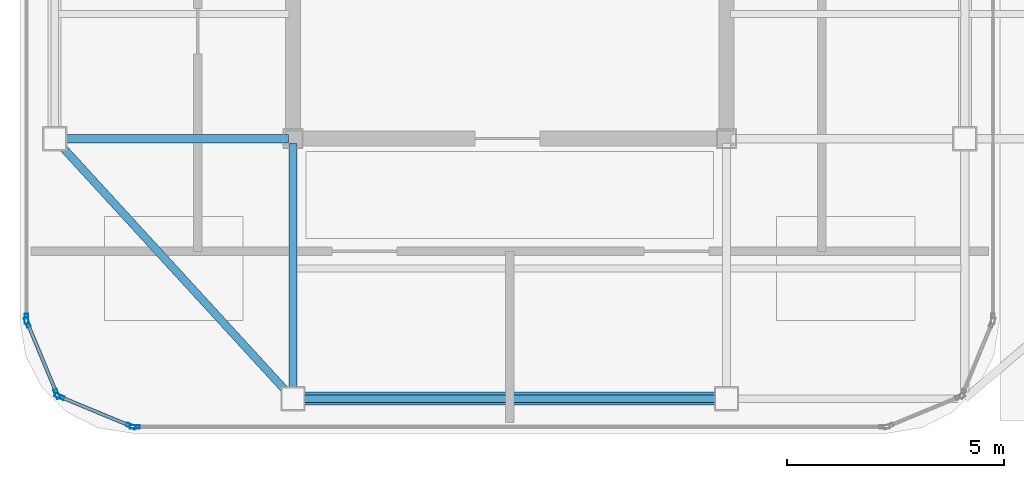
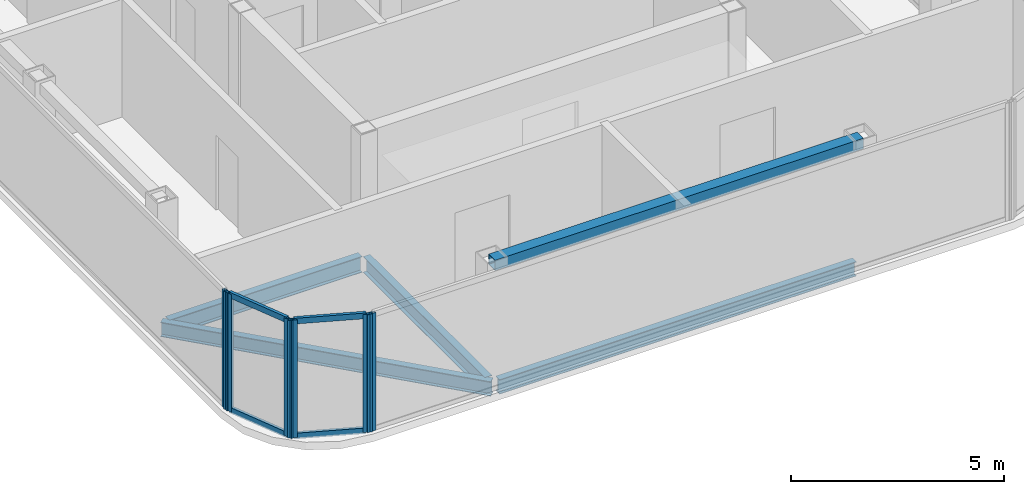
# One storey, part 2 of 11: 11 members, 4 beams, 4 elements without a shape of their own.
"""IFC4 building model written with IfcOpenShell, lengths in metres."""

import ifcopenshell
import ifcopenshell.guid

model = None  # the IFC model being written
_history = None  # IfcOwnerHistory: only IFC2X3 demands one
_inside = {}  # id of a spatial element -> (the spatial element, [elements in it])
_under = {}  # id of a project, library or spatial element -> (it, [spatial elements below it])
_declared = {}  # id of a project -> (the project, [libraries it declares])
_typed = {}  # id of a type object -> (the type object, [elements of that type])
_made_of = {}  # id of a material, layer set ... -> (it, [elements and type objects made of it])


def new_model(schema):
    """Start an empty IFC model of exactly this schema.

    Asked for "IFC4X3", IfcOpenShell would pick the latest addendum, in which some entities
    have other attributes; the version numbers below select the first issue.
    IFC2X3 requires an IfcOwnerHistory on every rooted entity: one is made here for all.
    """
    global model, _history
    if schema == "IFC4X3":
        model = ifcopenshell.file(schema_version=(4, 3, 0, 0))
    else:
        model = ifcopenshell.file(schema=schema)
    _inside.clear()
    _under.clear()
    _declared.clear()
    _typed.clear()
    _made_of.clear()
    _history = None
    if model.schema == "IFC2X3":
        org = make("IfcOrganization", Name="unknown")
        user = make(
            "IfcPersonAndOrganization",
            ThePerson=make("IfcPerson", FamilyName="unknown"),
            TheOrganization=org,
        )
        app = make(
            "IfcApplication",
            ApplicationDeveloper=org,
            Version="unknown",
            ApplicationFullName="unknown",
            ApplicationIdentifier="unknown",
        )
        _history = make(
            "IfcOwnerHistory",
            OwningUser=user,
            OwningApplication=app,
            ChangeAction="ADDED",
            CreationDate=0,
        )
    return model


def make(cls, **values):
    """One entity of the class cls with the attributes given. An attribute that is None is left unset."""
    return model.create_entity(
        cls, **{name: value for name, value in values.items() if value is not None}
    )


def rooted(cls, **values):
    """An entity with a GlobalId (a new one), such as an element, a storey or a relation."""
    return make(cls, GlobalId=ifcopenshell.guid.new(), OwnerHistory=_history, **values)


def si_unit(unit_type, name, prefix=None):
    """IfcSIUnit, for example si_unit("LENGTHUNIT", "METRE", prefix="MILLI")."""
    return make("IfcSIUnit", UnitType=unit_type, Prefix=prefix, Name=name)


def assignment(units):
    """IfcUnitAssignment: the units of a project."""
    return None if units is None else make("IfcUnitAssignment", Units=units)


def point(xyz):
    """IfcCartesianPoint."""
    return None if xyz is None else make("IfcCartesianPoint", Coordinates=xyz)


def direction(xyz):
    """IfcDirection."""
    return None if xyz is None else make("IfcDirection", DirectionRatios=xyz)


def frame(location, z_axis=None, x_axis=None):
    """IfcAxis2Placement3D, a coordinate frame: its origin and axes. An axis left out is left unset."""
    return make(
        "IfcAxis2Placement3D",
        Location=point(location),
        Axis=direction(z_axis),
        RefDirection=direction(x_axis),
    )


def frame_2d(location, x_axis=None):
    """IfcAxis2Placement2D, a coordinate frame in the plane: its origin and x axis."""
    return make(
        "IfcAxis2Placement2D", Location=point(location), RefDirection=direction(x_axis)
    )


def origin():
    """The frame at (0, 0, 0) with its axes left unset."""
    return frame((0.0, 0.0, 0.0))


def origin_2d():
    """The frame at (0, 0) in the plane with its x axis left unset."""
    return frame_2d((0.0, 0.0))


def place(relative_to, where):
    """IfcLocalPlacement: puts the frame where relative to a parent placement (None: the world)."""
    return make(
        "IfcLocalPlacement", PlacementRelTo=relative_to, RelativePlacement=where
    )


def context(
    kind, dimensions, precision=None, world=None, true_north=None, identifier=None
):
    """IfcGeometricRepresentationContext, for example the 3D "Model" context."""
    return make(
        "IfcGeometricRepresentationContext",
        ContextIdentifier=identifier,
        ContextType=kind,
        CoordinateSpaceDimension=dimensions,
        Precision=precision,
        WorldCoordinateSystem=world,
        TrueNorth=true_north,
    )


def subcontext(parent, identifier, kind, view, scale=None):
    """IfcGeometricRepresentationSubContext, for example "Body" below "Model"."""
    return make(
        "IfcGeometricRepresentationSubContext",
        ContextIdentifier=identifier,
        ContextType=kind,
        ParentContext=parent,
        TargetScale=scale,
        TargetView=view,
    )


def project(units=None, contexts=None):
    """IfcProject with its units and contexts."""
    return rooted(
        "IfcProject",
        Name="project",
        RepresentationContexts=contexts,
        UnitsInContext=assignment(units),
    )


def spatial(cls, under=None, at=None, **own):
    """A site, building, storey or space (cls), placed at a placement, below another one or the project."""
    s = rooted(cls, ObjectPlacement=at, **own)
    if under is not None:
        _under.setdefault(under.id(), (under, []))[1].append(s)
    return s


def profile(cls, at=None, kind="AREA", **sizes):
    """A parametric profile (cls). Its sizes go by their IFC names, for example OverallWidth=200.0."""
    return make(cls, ProfileType=kind, Position=at, **sizes)


def hollow_rectangle(**sizes):
    """IfcRectangleHollowProfileDef."""
    return profile("IfcRectangleHollowProfileDef", **sizes)


def i_section(**sizes):
    """IfcIShapeProfileDef."""
    return profile("IfcIShapeProfileDef", **sizes)


def extrude(swept, where, along, depth):
    """IfcExtrudedAreaSolid: the profile swept, set in the frame where, extruded along a direction by depth."""
    return make(
        "IfcExtrudedAreaSolid",
        SweptArea=swept,
        Position=where,
        ExtrudedDirection=direction(along),
        Depth=depth,
    )


def shape(context_of_items, identifier, shape_type, items):
    """IfcShapeRepresentation: the items that make up one representation, for example the "Body"."""
    return make(
        "IfcShapeRepresentation",
        ContextOfItems=context_of_items,
        RepresentationIdentifier=identifier,
        RepresentationType=shape_type,
        Items=items,
    )


def source(mapping_origin, context_of_items, identifier, shape_type, items):
    """IfcRepresentationMap: a shape defined once, which mapped items show again and again."""
    return make(
        "IfcRepresentationMap",
        MappingOrigin=mapping_origin,
        MappedRepresentation=shape(context_of_items, identifier, shape_type, items),
    )


def transform(
    local_origin,
    x_axis=None,
    y_axis=None,
    z_axis=None,
    scale=None,
    scale2=None,
    scale3=None,
    uniform=True,
):
    """IfcCartesianTransformationOperator3D, or its non-uniform kind. x_axis, y_axis, z_axis: its Axis1, 2, 3."""
    if uniform:
        return make(
            "IfcCartesianTransformationOperator3D",
            Axis1=direction(x_axis),
            Axis2=direction(y_axis),
            LocalOrigin=point(local_origin),
            Scale=scale,
            Axis3=direction(z_axis),
        )
    return make(
        "IfcCartesianTransformationOperator3DnonUniform",
        Axis1=direction(x_axis),
        Axis2=direction(y_axis),
        LocalOrigin=point(local_origin),
        Scale=scale,
        Axis3=direction(z_axis),
        Scale2=scale2,
        Scale3=scale3,
    )


def mapped(mapping_source, mapping_target):
    """IfcMappedItem: shows the shape of a source again, moved by a transform."""
    return make(
        "IfcMappedItem", MappingSource=mapping_source, MappingTarget=mapping_target
    )


def material(Name=None, Category=None):
    """IfcMaterial."""
    return make("IfcMaterial", Name=Name, Category=Category)


def layer(
    of_material, thickness, ventilated=None, Name=None, Category=None, Priority=None
):
    """IfcMaterialLayer: one layer of a wall or slab, of a material (None: an air gap)."""
    return make(
        "IfcMaterialLayer",
        Material=of_material,
        LayerThickness=thickness,
        IsVentilated=ventilated,
        Name=Name,
        Category=Category,
        Priority=Priority,
    )


def layer_set(layers, Name=None):
    """IfcMaterialLayerSet."""
    return make("IfcMaterialLayerSet", MaterialLayers=layers, LayerSetName=Name)


def material_profile(
    of_material, cross_section, Name=None, Category=None, Priority=None
):
    """IfcMaterialProfile: a cross section and its material."""
    return make(
        "IfcMaterialProfile",
        Name=Name,
        Material=of_material,
        Profile=cross_section,
        Priority=Priority,
        Category=Category,
    )


def profile_set(profiles, Name=None, composite=None):
    """IfcMaterialProfileSet."""
    return make(
        "IfcMaterialProfileSet",
        Name=Name,
        MaterialProfiles=profiles,
        CompositeProfile=composite,
    )


def made_of(thing, what):
    """Note that an element or type object is made of a material, layer set ...; save() writes the relation."""
    if what is not None:
        _made_of.setdefault(what.id(), (what, []))[1].append(thing)
    return thing


def type_object(cls, material=None, **own):
    """A type object (cls), such as IfcWallType, which elements share."""
    return made_of(rooted(cls, **own), material)


def element(
    cls,
    number,
    at=None,
    inside=None,
    cuts=None,
    type_object=None,
    material=None,
    context=None,
    identifier="Body",
    shape_type=None,
    held_by="IfcProductDefinitionShape",
    body=None,
    shapes=None,
    **own,
):
    """One element of the class cls, such as IfcWall. Its Tag is "e" and its number.

    at: its placement. inside: the storey or other place that contains it. cuts: it is an
    opening in that element (IfcRelVoidsElement). A single representation is given by context,
    identifier, shape_type and body (its items); several are given by shapes. held_by: the class
    of the entity that holds the representations. save() writes the other relations.
    """
    e = rooted(cls, Tag="e%d" % number, ObjectPlacement=at, **own)
    if body is not None:
        shapes = [shape(context, identifier, shape_type, body)]
    if shapes is not None:
        e.Representation = make(held_by, Representations=shapes)
    if inside is not None:
        _inside.setdefault(inside.id(), (inside, []))[1].append(e)
    if cuts is not None:
        rooted(
            "IfcRelVoidsElement", RelatingBuildingElement=cuts, RelatedOpeningElement=e
        )
    if type_object is not None:
        _typed.setdefault(type_object.id(), (type_object, []))[1].append(e)
    return made_of(e, material)


def aggregate(whole, parts):
    """IfcRelAggregates: a whole, such as a stair, and the parts it consists of."""
    return rooted("IfcRelAggregates", RelatingObject=whole, RelatedObjects=parts)


def save(model, path):
    """Write the relations noted so far, then the file.

    IfcRelAggregates (storeys below a building ...), IfcRelContainedInSpatialStructure (elements
    in a storey), IfcRelDefinesByType, IfcRelAssociatesMaterial and IfcRelDeclares: one each for
    every whole, place, type object, material and project.
    """
    for whole, parts in _under.values():
        aggregate(whole, parts)
    for where, things in _inside.values():
        rooted(
            "IfcRelContainedInSpatialStructure",
            RelatedElements=things,
            RelatingStructure=where,
        )
    for kind, things in _typed.values():
        rooted("IfcRelDefinesByType", RelatedObjects=things, RelatingType=kind)
    for what, things in _made_of.values():
        rooted("IfcRelAssociatesMaterial", RelatedObjects=things, RelatingMaterial=what)
    for by, libraries in _declared.values():
        rooted("IfcRelDeclares", RelatingContext=by, RelatedDefinitions=libraries)
    model.write(path)


model = new_model("IFC4")

# Units and contexts
model_context = context("Model", 3, precision=1e-05, world=origin(), true_north=direction((0.0, 1.0)))
body_context = subcontext(model_context, "Body", "Model", "MODEL_VIEW")
ifc_project = project(units=[si_unit("LENGTHUNIT", "METRE"), si_unit("AREAUNIT", "SQUARE_METRE"), si_unit("VOLUMEUNIT", "CUBIC_METRE"), si_unit("PLANEANGLEUNIT", "RADIAN"), si_unit("MASSUNIT", "GRAM", prefix="KILO")], contexts=[model_context])

# Site, building, storey
site_placement = place(None, origin())
site = spatial("IfcSite", under=ifc_project, at=site_placement, CompositionType="ELEMENT")
building_placement = place(site_placement, origin())
building = spatial("IfcBuilding", under=site, at=building_placement, Name="Kolveth Station Tower", CompositionType="ELEMENT")
storey_placement = place(building_placement, frame((0.0, 0.0, 285.699951171875)))
storey = spatial("IfcBuildingStorey", under=building, at=storey_placement, Name="L82", CompositionType="ELEMENT", Elevation=285.699951171875)

# Beams
ifc_material_1 = material(Name="Steel S355", Category="steel")
ifc_material_profile_1 = material_profile(ifc_material_1, i_section(OverallWidth=0.180908203125, OverallDepth=0.4169921875, WebThickness=0.010986328125, FlangeThickness=0.018310546875, at=origin_2d()), Name="W410x85")
ifc_profile_set_1 = profile_set([ifc_material_profile_1], Name="Steel S355")
beam_type_1 = type_object("IfcBeamType", Name="Beam_B8", PredefinedType="BEAM", material=ifc_profile_set_1)
shared_shape_1 = source(origin(), body_context, "Body", "SweptSolid", [
    extrude(i_section(OverallWidth=0.180908203125, OverallDepth=0.4169921875, WebThickness=0.010986328125, FlangeThickness=0.018310546875, at=origin_2d()), origin(), (0.0, 0.0, 1.0), 9.68017578125),
])
beam_1_placement = place(storey_placement, frame((18.659912109375, 5.5, -0.428466796875), z_axis=(1.0, 0.0, 0.0), x_axis=(0.0, 1.0, 0.0)))
element("IfcBeam", 1, at=beam_1_placement, inside=storey, type_object=beam_type_1, Name="L82 Perimeter Spandrel BM-L82-PS-1", PredefinedType="BEAM", context=body_context, shape_type="MappedRepresentation", body=[
    mapped(shared_shape_1, transform((0.0, 0.0, 0.0), x_axis=(1.0, 0.0, 0.0), y_axis=(0.0, 1.0, 0.0), z_axis=(0.0, 0.0, 1.0), scale=1.0)),
])
ifc_material_profile_2 = material_profile(ifc_material_1, i_section(OverallWidth=0.19091796875, OverallDepth=0.4599609375, WebThickness=0.010009765625, FlangeThickness=0.01611328125, at=origin_2d()), Name="W460x82")
ifc_profile_set_2 = profile_set([ifc_material_profile_2], Name="Steel S355")
beam_type_2 = type_object("IfcBeamType", Name="Beam_B7", PredefinedType="BEAM", material=ifc_profile_set_2)
shared_shape_2 = source(origin(), body_context, "Body", "SweptSolid", [
    extrude(i_section(OverallWidth=0.19091796875, OverallDepth=0.4599609375, WebThickness=0.010009765625, FlangeThickness=0.01611328125, at=origin_2d()), origin(), (0.0, 0.0, 1.0), 5.22998046875),
])
beam_2_placement = place(storey_placement, frame((13.159912109375, 11.5, -0.449951171875), z_axis=(1.0, 0.0, 0.0), x_axis=(0.0, 1.0, 0.0)))
element("IfcBeam", 2, at=beam_2_placement, inside=storey, type_object=beam_type_2, Name="L82 Primary Girder BM-L82-GY115-1", PredefinedType="BEAM", context=body_context, shape_type="MappedRepresentation", body=[
    mapped(shared_shape_2, transform((0.0, 0.0, 0.0), x_axis=(1.0, 0.0, 0.0), y_axis=(0.0, 1.0, 0.0), z_axis=(0.0, 0.0, 1.0), scale=1.0)),
])
shared_shape_3 = source(origin(), body_context, "Body", "SweptSolid", [
    extrude(i_section(OverallWidth=0.19091796875, OverallDepth=0.4599609375, WebThickness=0.010009765625, FlangeThickness=0.01611328125, at=origin_2d()), origin(), (0.0, 0.0, 1.0), 5.72998046875),
])
beam_3_placement = place(storey_placement, frame((18.5, 5.659912109375, -0.449951171875), z_axis=(0.0, 1.0, 0.0), x_axis=(-1.0, 0.0, 0.0)))
element("IfcBeam", 3, at=beam_3_placement, inside=storey, type_object=beam_type_2, Name="L82 Primary Girder BM-L82-GX185-1", PredefinedType="BEAM", context=body_context, shape_type="MappedRepresentation", body=[
    mapped(shared_shape_3, transform((0.0, 0.0, 0.0), x_axis=(1.0, 0.0, 0.0), y_axis=(0.0, 1.0, 0.0), z_axis=(0.0, 0.0, 1.0), scale=1.0)),
])
shared_shape_4 = source(origin(), body_context, "Body", "SweptSolid", [
    extrude(i_section(OverallWidth=0.180908203125, OverallDepth=0.4169921875, WebThickness=0.010986328125, FlangeThickness=0.018310546875, at=origin_2d()), origin(), (0.0, 0.0, 1.0), 8.139404296875),
])
beam_4_placement = place(storey_placement, frame((13.0, 11.5, -0.428466796875), z_axis=(0.675724628517, -0.737154140201, 0.0), x_axis=(0.737154140201, 0.675724628517, 0.0)))
element("IfcBeam", 4, at=beam_4_placement, inside=storey, type_object=beam_type_1, Name="L82 Corner Edge Girder BM-L82-CNR-SW", PredefinedType="BEAM", context=body_context, shape_type="MappedRepresentation", body=[
    mapped(shared_shape_4, transform((0.0, 0.0, 0.0), x_axis=(1.0, 0.0, 0.0), y_axis=(0.0, 1.0, 0.0), z_axis=(0.0, 0.0, 1.0), scale=1.0)),
])

# Member
ifc_material_profile_3 = material_profile(ifc_material_1, hollow_rectangle(XDim=0.300048828125, YDim=0.300048828125, WallThickness=0.01611328125, at=origin_2d()), Name="CROWN-HSS300x300x16")
ifc_profile_set_3 = profile_set([ifc_material_profile_3], Name="Steel S355")
member_type_1 = type_object("IfcMemberType", Name="Mem_CF1", PredefinedType="CHORD", material=ifc_profile_set_3)
shared_shape_5 = source(origin(), body_context, "Body", "SweptSolid", [
    extrude(hollow_rectangle(XDim=0.300048828125, YDim=0.300048828125, WallThickness=0.01611328125, at=origin_2d()), origin(), (0.0, 0.0, 1.0), 10.0),
])
member_1_placement = place(storey_placement, frame((18.5, 5.5, 3.150146484375), z_axis=(1.0, 0.0, 0.0), x_axis=(0.0, 1.0, 0.0)))
element("IfcMember", 5, at=member_1_placement, inside=storey, type_object=member_type_1, Name="L82 Crown Frame Ring Chord 1", PredefinedType="CHORD", context=body_context, shape_type="MappedRepresentation", body=[
    mapped(shared_shape_5, transform((0.0, 0.0, 0.0), x_axis=(1.0, 0.0, 0.0), y_axis=(0.0, 1.0, 0.0), z_axis=(0.0, 0.0, 1.0), scale=1.0)),
])

# Curtain wall, member
ifc_material_2 = material(Name="Black anodized aluminium 6063-T6 and dark crown glass", Category="aluminium")
ifc_layer = layer(ifc_material_2, 0.169921875)
ifc_layer_set = layer_set([ifc_layer], Name="Black anodized aluminium 6063-T6 and dark crown glass")
curtain_wall_type = type_object("IfcCurtainWallType", Name="CurtainWall_CW-CR", PredefinedType="NOTDEFINED", material=ifc_layer_set)
curtain_wall_1_placement = place(storey_placement, origin())
curtain_wall_1 = element("IfcCurtainWall", 6, at=curtain_wall_1_placement, inside=storey, type_object=curtain_wall_type, Name="L82 Stepped Crown Curtain Wall 9", PredefinedType="NOTDEFINED")
ifc_material_3 = material(Name="Black anodized aluminium 6063-T6", Category="aluminium")
ifc_material_profile_4 = material_profile(ifc_material_3, hollow_rectangle(XDim=0.0849609375, YDim=0.22998046875, WallThickness=0.0048828125, at=origin_2d()), Name="ALU-85x230x5")
ifc_profile_set_4 = profile_set([ifc_material_profile_4], Name="Black anodized aluminium 6063-T6")
member_type_2 = type_object("IfcMemberType", Name="Mullion_ML-CR", PredefinedType="MULLION", material=ifc_profile_set_4)
shared_shape_6 = source(origin(), body_context, "Body", "SweptSolid", [
    extrude(hollow_rectangle(XDim=0.0849609375, YDim=0.22998046875, WallThickness=0.0048828125, at=origin_2d()), origin(), (0.0, 0.0, 1.0), 3.380126953125),
])
member_2_placement = place(storey_placement, frame((12.35009765625, 7.342529296875, 0.0), z_axis=(0.0, 0.0, 1.0), x_axis=(1.0, 0.0, 0.0)))
member_2 = element("IfcMember", 7, at=member_2_placement, type_object=member_type_2, Name="CW-CR mullion 2", PredefinedType="MULLION", context=body_context, shape_type="MappedRepresentation", body=[
    mapped(shared_shape_6, transform((0.0, 0.0, 0.0), x_axis=(1.0, 0.0, 0.0), y_axis=(0.0, 1.0, 0.0), z_axis=(0.0, 0.0, 1.0), scale=1.0)),
])
aggregate(curtain_wall_1, [member_2])

# Curtain wall, members
curtain_wall_2_placement = place(storey_placement, origin())
curtain_wall_2 = element("IfcCurtainWall", 8, at=curtain_wall_2_placement, inside=storey, type_object=curtain_wall_type, Name="L82 Stepped Crown Curtain Wall 10", PredefinedType="NOTDEFINED")
member_3_placement = place(storey_placement, frame((12.3662109375, 7.2607421875, 0.0), z_axis=(0.0, 0.0, 1.0), x_axis=(0.923876435676, 0.382690908701, 0.0)))
member_3 = element("IfcMember", 9, at=member_3_placement, type_object=member_type_2, Name="CW-CR mullion 1", PredefinedType="MULLION", context=body_context, shape_type="MappedRepresentation", body=[
    mapped(shared_shape_6, transform((0.0, 0.0, 0.0), x_axis=(1.0, 0.0, 0.0), y_axis=(0.0, 1.0, 0.0), z_axis=(0.0, 0.0, 1.0), scale=1.0)),
])
member_4_placement = place(storey_placement, frame((13.05126953125, 5.60693359375, 0.0), z_axis=(0.0, 0.0, 1.0), x_axis=(0.923876435676, 0.382690908701, 0.0)))
member_4 = element("IfcMember", 10, at=member_4_placement, type_object=member_type_2, Name="CW-CR mullion 2", PredefinedType="MULLION", context=body_context, shape_type="MappedRepresentation", body=[
    mapped(shared_shape_6, transform((0.0, 0.0, 0.0), x_axis=(1.0, 0.0, 0.0), y_axis=(0.0, 1.0, 0.0), z_axis=(0.0, 0.0, 1.0), scale=1.0)),
])

curtain_wall_3_placement = place(storey_placement, origin())
curtain_wall_3 = element("IfcCurtainWall", 11, at=curtain_wall_3_placement, inside=storey, type_object=curtain_wall_type, Name="L82 Stepped Crown Curtain Wall 11", PredefinedType="NOTDEFINED")
member_5_placement = place(storey_placement, frame((13.10693359375, 5.55126953125, 0.0), z_axis=(0.0, 0.0, 1.0), x_axis=(0.382690908701, 0.923876435676, 0.0)))
member_5 = element("IfcMember", 12, at=member_5_placement, type_object=member_type_2, Name="CW-CR mullion 1", PredefinedType="MULLION", context=body_context, shape_type="MappedRepresentation", body=[
    mapped(shared_shape_6, transform((0.0, 0.0, 0.0), x_axis=(1.0, 0.0, 0.0), y_axis=(0.0, 1.0, 0.0), z_axis=(0.0, 0.0, 1.0), scale=1.0)),
])
member_6_placement = place(storey_placement, frame((14.7607421875, 4.8662109375, 0.0), z_axis=(0.0, 0.0, 1.0), x_axis=(0.382690908701, 0.923876435676, 0.0)))
member_6 = element("IfcMember", 13, at=member_6_placement, type_object=member_type_2, Name="CW-CR mullion 2", PredefinedType="MULLION", context=body_context, shape_type="MappedRepresentation", body=[
    mapped(shared_shape_6, transform((0.0, 0.0, 0.0), x_axis=(1.0, 0.0, 0.0), y_axis=(0.0, 1.0, 0.0), z_axis=(0.0, 0.0, 1.0), scale=1.0)),
])

# Curtain wall, member
curtain_wall_4_placement = place(storey_placement, origin())
curtain_wall_4 = element("IfcCurtainWall", 14, at=curtain_wall_4_placement, inside=storey, type_object=curtain_wall_type, Name="L82 Stepped Crown Curtain Wall 12", PredefinedType="NOTDEFINED")
member_7_placement = place(storey_placement, frame((14.842529296875, 4.85009765625, 0.0), z_axis=(0.0, 0.0, 1.0), x_axis=(0.0, 1.0, 0.0)))
member_7 = element("IfcMember", 15, at=member_7_placement, type_object=member_type_2, Name="CW-CR mullion 1", PredefinedType="MULLION", context=body_context, shape_type="MappedRepresentation", body=[
    mapped(shared_shape_6, transform((0.0, 0.0, 0.0), x_axis=(1.0, 0.0, 0.0), y_axis=(0.0, 1.0, 0.0), z_axis=(0.0, 0.0, 1.0), scale=1.0)),
])
aggregate(curtain_wall_4, [member_7])

# Member
ifc_material_profile_5 = material_profile(ifc_material_3, hollow_rectangle(XDim=0.080078125, YDim=0.1650390625, WallThickness=0.0048828125, at=origin_2d()), Name="ALU-80x165x5")
ifc_profile_set_5 = profile_set([ifc_material_profile_5], Name="Black anodized aluminium 6063-T6")
member_type_3 = type_object("IfcMemberType", Name="Transom_TR-CR", PredefinedType="USERDEFINED", material=ifc_profile_set_5)
shared_shape_7 = source(origin(), body_context, "Body", "SweptSolid", [
    extrude(hollow_rectangle(XDim=0.080078125, YDim=0.1650390625, WallThickness=0.0048828125, at=origin_2d()), origin(), (0.0, 0.0, 1.0), 1.705078125),
])
member_8_placement = place(storey_placement, frame((12.382568359375, 7.221435546875, 0.0400390625), z_axis=(0.38274381958, -0.923854516996, 0.0), x_axis=(0.923854516996, 0.38274381958, 0.0)))
member_8 = element("IfcMember", 16, at=member_8_placement, type_object=member_type_3, Name="CW-CR transom 1.1", ObjectType="TRANSOM", PredefinedType="USERDEFINED", context=body_context, shape_type="MappedRepresentation", body=[
    mapped(shared_shape_7, transform((0.0, 0.0, 0.0), x_axis=(1.0, 0.0, 0.0), y_axis=(0.0, 1.0, 0.0), z_axis=(0.0, 0.0, 1.0), scale=1.0)),
])

member_9_placement = place(storey_placement, frame((12.382568359375, 7.221435546875, 3.340087890625), z_axis=(0.38274381958, -0.923854516996, 0.0), x_axis=(0.923854516996, 0.38274381958, 0.0)))
member_9 = element("IfcMember", 17, at=member_9_placement, type_object=member_type_3, Name="CW-CR transom 1.2", ObjectType="TRANSOM", PredefinedType="USERDEFINED", context=body_context, shape_type="MappedRepresentation", body=[
    mapped(shared_shape_7, transform((0.0, 0.0, 0.0), x_axis=(1.0, 0.0, 0.0), y_axis=(0.0, 1.0, 0.0), z_axis=(0.0, 0.0, 1.0), scale=1.0)),
])

aggregate(curtain_wall_2, [member_3, member_4, member_8, member_9])

member_10_placement = place(storey_placement, frame((13.146240234375, 5.53515625, 0.0400390625), z_axis=(0.923854516996, -0.38274381958, 0.0), x_axis=(0.38274381958, 0.923854516996, 0.0)))
member_10 = element("IfcMember", 18, at=member_10_placement, type_object=member_type_3, Name="CW-CR transom 1.1", ObjectType="TRANSOM", PredefinedType="USERDEFINED", context=body_context, shape_type="MappedRepresentation", body=[
    mapped(shared_shape_7, transform((0.0, 0.0, 0.0), x_axis=(1.0, 0.0, 0.0), y_axis=(0.0, 1.0, 0.0), z_axis=(0.0, 0.0, 1.0), scale=1.0)),
])

member_11_placement = place(storey_placement, frame((13.146240234375, 5.53515625, 3.340087890625), z_axis=(0.923854516996, -0.38274381958, 0.0), x_axis=(0.38274381958, 0.923854516996, 0.0)))
member_11 = element("IfcMember", 19, at=member_11_placement, type_object=member_type_3, Name="CW-CR transom 1.2", ObjectType="TRANSOM", PredefinedType="USERDEFINED", context=body_context, shape_type="MappedRepresentation", body=[
    mapped(shared_shape_7, transform((0.0, 0.0, 0.0), x_axis=(1.0, 0.0, 0.0), y_axis=(0.0, 1.0, 0.0), z_axis=(0.0, 0.0, 1.0), scale=1.0)),
])

aggregate(curtain_wall_3, [member_5, member_6, member_10, member_11])

save(model, "model.ifc")
